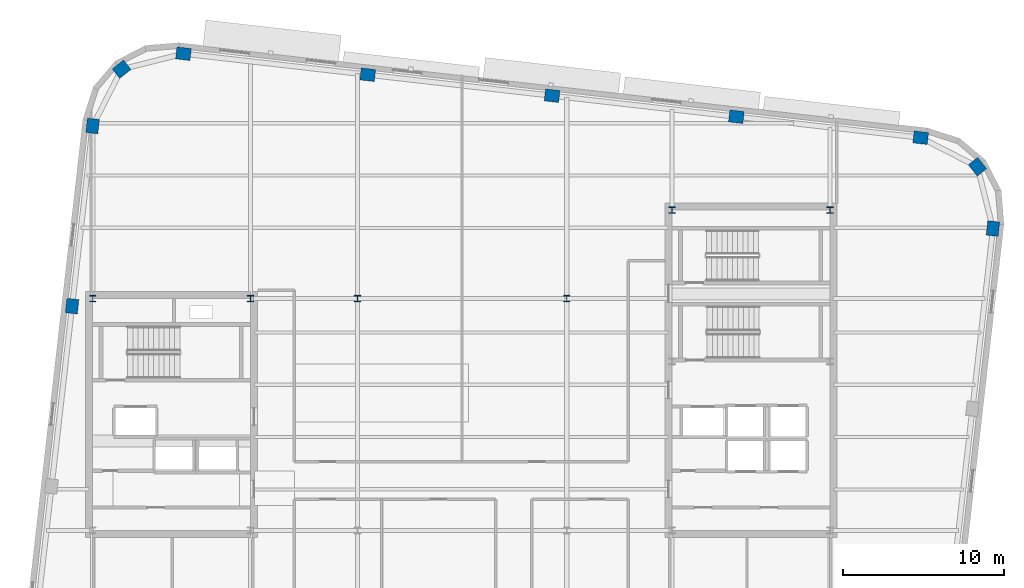
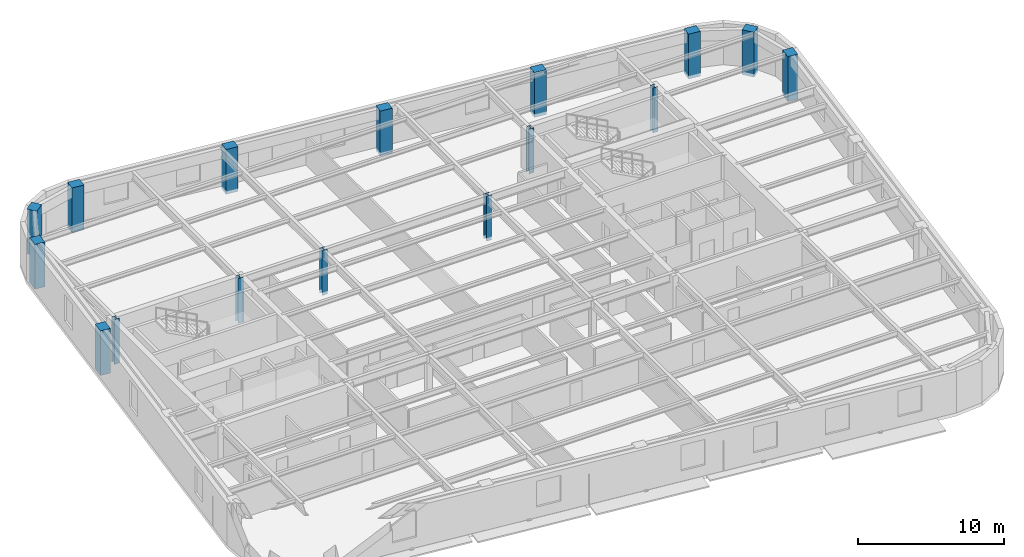
# One storey, part 2 of 13: 16 columns.
"""IFC4 building model written with IfcOpenShell, lengths in metres."""

import ifcopenshell
import ifcopenshell.guid

model = None  # the IFC model being written
_history = None  # IfcOwnerHistory: only IFC2X3 demands one
_inside = {}  # id of a spatial element -> (the spatial element, [elements in it])
_under = {}  # id of a project, library or spatial element -> (it, [spatial elements below it])
_declared = {}  # id of a project -> (the project, [libraries it declares])
_typed = {}  # id of a type object -> (the type object, [elements of that type])
_made_of = {}  # id of a material, layer set ... -> (it, [elements and type objects made of it])


def new_model(schema):
    """Start an empty IFC model of exactly this schema.

    Asked for "IFC4X3", IfcOpenShell would pick the latest addendum, in which some entities
    have other attributes; the version numbers below select the first issue.
    IFC2X3 requires an IfcOwnerHistory on every rooted entity: one is made here for all.
    """
    global model, _history
    if schema == "IFC4X3":
        model = ifcopenshell.file(schema_version=(4, 3, 0, 0))
    else:
        model = ifcopenshell.file(schema=schema)
    _inside.clear()
    _under.clear()
    _declared.clear()
    _typed.clear()
    _made_of.clear()
    _history = None
    if model.schema == "IFC2X3":
        org = make("IfcOrganization", Name="unknown")
        user = make(
            "IfcPersonAndOrganization",
            ThePerson=make("IfcPerson", FamilyName="unknown"),
            TheOrganization=org,
        )
        app = make(
            "IfcApplication",
            ApplicationDeveloper=org,
            Version="unknown",
            ApplicationFullName="unknown",
            ApplicationIdentifier="unknown",
        )
        _history = make(
            "IfcOwnerHistory",
            OwningUser=user,
            OwningApplication=app,
            ChangeAction="ADDED",
            CreationDate=0,
        )
    return model


def make(cls, **values):
    """One entity of the class cls with the attributes given. An attribute that is None is left unset."""
    return model.create_entity(
        cls, **{name: value for name, value in values.items() if value is not None}
    )


def rooted(cls, **values):
    """An entity with a GlobalId (a new one), such as an element, a storey or a relation."""
    return make(cls, GlobalId=ifcopenshell.guid.new(), OwnerHistory=_history, **values)


def si_unit(unit_type, name, prefix=None):
    """IfcSIUnit, for example si_unit("LENGTHUNIT", "METRE", prefix="MILLI")."""
    return make("IfcSIUnit", UnitType=unit_type, Prefix=prefix, Name=name)


def assignment(units):
    """IfcUnitAssignment: the units of a project."""
    return None if units is None else make("IfcUnitAssignment", Units=units)


def point(xyz):
    """IfcCartesianPoint."""
    return None if xyz is None else make("IfcCartesianPoint", Coordinates=xyz)


def direction(xyz):
    """IfcDirection."""
    return None if xyz is None else make("IfcDirection", DirectionRatios=xyz)


def frame(location, z_axis=None, x_axis=None):
    """IfcAxis2Placement3D, a coordinate frame: its origin and axes. An axis left out is left unset."""
    return make(
        "IfcAxis2Placement3D",
        Location=point(location),
        Axis=direction(z_axis),
        RefDirection=direction(x_axis),
    )


def frame_2d(location, x_axis=None):
    """IfcAxis2Placement2D, a coordinate frame in the plane: its origin and x axis."""
    return make(
        "IfcAxis2Placement2D", Location=point(location), RefDirection=direction(x_axis)
    )


def origin():
    """The frame at (0, 0, 0) with its axes left unset."""
    return frame((0.0, 0.0, 0.0))


def origin_2d():
    """The frame at (0, 0) in the plane with its x axis left unset."""
    return frame_2d((0.0, 0.0))


def place(relative_to, where):
    """IfcLocalPlacement: puts the frame where relative to a parent placement (None: the world)."""
    return make(
        "IfcLocalPlacement", PlacementRelTo=relative_to, RelativePlacement=where
    )


def context(
    kind, dimensions, precision=None, world=None, true_north=None, identifier=None
):
    """IfcGeometricRepresentationContext, for example the 3D "Model" context."""
    return make(
        "IfcGeometricRepresentationContext",
        ContextIdentifier=identifier,
        ContextType=kind,
        CoordinateSpaceDimension=dimensions,
        Precision=precision,
        WorldCoordinateSystem=world,
        TrueNorth=true_north,
    )


def subcontext(parent, identifier, kind, view, scale=None):
    """IfcGeometricRepresentationSubContext, for example "Body" below "Model"."""
    return make(
        "IfcGeometricRepresentationSubContext",
        ContextIdentifier=identifier,
        ContextType=kind,
        ParentContext=parent,
        TargetScale=scale,
        TargetView=view,
    )


def project(units=None, contexts=None):
    """IfcProject with its units and contexts."""
    return rooted(
        "IfcProject",
        Name="project",
        RepresentationContexts=contexts,
        UnitsInContext=assignment(units),
    )


def spatial(cls, under=None, at=None, **own):
    """A site, building, storey or space (cls), placed at a placement, below another one or the project."""
    s = rooted(cls, ObjectPlacement=at, **own)
    if under is not None:
        _under.setdefault(under.id(), (under, []))[1].append(s)
    return s


def profile(cls, at=None, kind="AREA", **sizes):
    """A parametric profile (cls). Its sizes go by their IFC names, for example OverallWidth=200.0."""
    return make(cls, ProfileType=kind, Position=at, **sizes)


def rectangle(**sizes):
    """IfcRectangleProfileDef."""
    return profile("IfcRectangleProfileDef", **sizes)


def i_section(**sizes):
    """IfcIShapeProfileDef."""
    return profile("IfcIShapeProfileDef", **sizes)


def extrude(swept, where, along, depth):
    """IfcExtrudedAreaSolid: the profile swept, set in the frame where, extruded along a direction by depth."""
    return make(
        "IfcExtrudedAreaSolid",
        SweptArea=swept,
        Position=where,
        ExtrudedDirection=direction(along),
        Depth=depth,
    )


def shape(context_of_items, identifier, shape_type, items):
    """IfcShapeRepresentation: the items that make up one representation, for example the "Body"."""
    return make(
        "IfcShapeRepresentation",
        ContextOfItems=context_of_items,
        RepresentationIdentifier=identifier,
        RepresentationType=shape_type,
        Items=items,
    )


def material(Name=None, Category=None):
    """IfcMaterial."""
    return make("IfcMaterial", Name=Name, Category=Category)


def material_profile(
    of_material, cross_section, Name=None, Category=None, Priority=None
):
    """IfcMaterialProfile: a cross section and its material."""
    return make(
        "IfcMaterialProfile",
        Name=Name,
        Material=of_material,
        Profile=cross_section,
        Priority=Priority,
        Category=Category,
    )


def profile_set(profiles, Name=None, composite=None):
    """IfcMaterialProfileSet."""
    return make(
        "IfcMaterialProfileSet",
        Name=Name,
        MaterialProfiles=profiles,
        CompositeProfile=composite,
    )


def made_of(thing, what):
    """Note that an element or type object is made of a material, layer set ...; save() writes the relation."""
    if what is not None:
        _made_of.setdefault(what.id(), (what, []))[1].append(thing)
    return thing


def type_object(cls, material=None, **own):
    """A type object (cls), such as IfcWallType, which elements share."""
    return made_of(rooted(cls, **own), material)


def element(
    cls,
    number,
    at=None,
    inside=None,
    cuts=None,
    type_object=None,
    material=None,
    context=None,
    identifier="Body",
    shape_type=None,
    held_by="IfcProductDefinitionShape",
    body=None,
    shapes=None,
    **own,
):
    """One element of the class cls, such as IfcWall. Its Tag is "e" and its number.

    at: its placement. inside: the storey or other place that contains it. cuts: it is an
    opening in that element (IfcRelVoidsElement). A single representation is given by context,
    identifier, shape_type and body (its items); several are given by shapes. held_by: the class
    of the entity that holds the representations. save() writes the other relations.
    """
    e = rooted(cls, Tag="e%d" % number, ObjectPlacement=at, **own)
    if body is not None:
        shapes = [shape(context, identifier, shape_type, body)]
    if shapes is not None:
        e.Representation = make(held_by, Representations=shapes)
    if inside is not None:
        _inside.setdefault(inside.id(), (inside, []))[1].append(e)
    if cuts is not None:
        rooted(
            "IfcRelVoidsElement", RelatingBuildingElement=cuts, RelatedOpeningElement=e
        )
    if type_object is not None:
        _typed.setdefault(type_object.id(), (type_object, []))[1].append(e)
    return made_of(e, material)


def aggregate(whole, parts):
    """IfcRelAggregates: a whole, such as a stair, and the parts it consists of."""
    return rooted("IfcRelAggregates", RelatingObject=whole, RelatedObjects=parts)


def save(model, path):
    """Write the relations noted so far, then the file.

    IfcRelAggregates (storeys below a building ...), IfcRelContainedInSpatialStructure (elements
    in a storey), IfcRelDefinesByType, IfcRelAssociatesMaterial and IfcRelDeclares: one each for
    every whole, place, type object, material and project.
    """
    for whole, parts in _under.values():
        aggregate(whole, parts)
    for where, things in _inside.values():
        rooted(
            "IfcRelContainedInSpatialStructure",
            RelatedElements=things,
            RelatingStructure=where,
        )
    for kind, things in _typed.values():
        rooted("IfcRelDefinesByType", RelatedObjects=things, RelatingType=kind)
    for what, things in _made_of.values():
        rooted("IfcRelAssociatesMaterial", RelatedObjects=things, RelatingMaterial=what)
    for by, libraries in _declared.values():
        rooted("IfcRelDeclares", RelatingContext=by, RelatedDefinitions=libraries)
    model.write(path)


model = new_model("IFC4")

# Units and contexts
model_context = context("Model", 3, precision=1e-05, world=origin(), true_north=direction((0.0, 1.0)))
body_context = subcontext(model_context, "Body", "Model", "MODEL_VIEW")
ifc_project = project(units=[si_unit("LENGTHUNIT", "METRE"), si_unit("AREAUNIT", "SQUARE_METRE"), si_unit("VOLUMEUNIT", "CUBIC_METRE"), si_unit("PLANEANGLEUNIT", "RADIAN"), si_unit("MASSUNIT", "GRAM", prefix="KILO")], contexts=[model_context])

# Site, building, storey
site_placement = place(None, origin())
site = spatial("IfcSite", under=ifc_project, at=site_placement, CompositionType="ELEMENT")
building_placement = place(site_placement, origin())
building = spatial("IfcBuilding", under=site, at=building_placement, Name="Kolvaren Arena Tower", CompositionType="ELEMENT")
storey_placement = place(building_placement, frame((0.0, 0.0, 262.199951171875)))
storey = spatial("IfcBuildingStorey", under=building, at=storey_placement, Name="L64", CompositionType="ELEMENT", Elevation=262.199951171875)

# Columns
ifc_material_1 = material(Name="Precast concrete C55/67", Category="concrete")
ifc_material_profile_1 = material_profile(ifc_material_1, rectangle(XDim=0.89990234375, YDim=0.75, at=origin_2d()), Name="RC-900x750")
ifc_profile_set_1 = profile_set([ifc_material_profile_1], Name="Precast concrete C55/67")
column_type_1 = type_object("IfcColumnType", Name="EXCOL-Z4", PredefinedType="COLUMN", material=ifc_profile_set_1)
for number, where, z_axis, x_axis, name in (
    (1, (70.482177734375, 38.20458984375, -0.27001953125), (0.0, 0.0, 1.0), (0.113203213768, 0.993571855677, 0.0), "Exoskeleton Perimeter Column 10 (L64)"),
    (2, (69.519775390625, 42.047119140625, -0.27001953125), (0.0, 0.0, 1.0), (-0.622514636638, 0.782608156852, 0.0), "Exoskeleton Perimeter Column 11 (L64)"),
    (3, (65.9921875, 43.84912109375, -0.27001953125), (0.0, 0.0, 1.0), (0.993571855677, -0.113203213768, 0.0), "Exoskeleton Perimeter Column 12 (L64)"),
    (4, (54.54150390625, 45.15380859375, -0.27001953125), (0.0, 0.0, 1.0), (0.993571855677, -0.113203213768, 0.0), "Exoskeleton Perimeter Column 13 (L64)"),
    (5, (43.090576171875, 46.45849609375, -0.27001953125), (0.0, 0.0, 1.0), (0.993571855677, -0.113203213768, 0.0), "Exoskeleton Perimeter Column 14 (L64)"),
    (6, (31.6396484375, 47.76318359375, -0.27001953125), (0.0, 0.0, 1.0), (0.993571855677, -0.113203213768, 0.0), "Exoskeleton Perimeter Column 15 (L64)"),
    (7, (20.188720703125, 49.06787109375, -0.27001953125), (0.0, 0.0, 1.0), (0.993571855677, -0.113203213768, 0.0), "Exoskeleton Perimeter Column 16 (L64)"),
    (8, (16.34619140625, 48.10546875, -0.27001953125), (0.0, 0.0, 1.0), (0.782608156852, 0.622514636638, 0.0), "Exoskeleton Perimeter Column 17 (L64)"),
    (9, (14.544189453125, 44.577880859375, -0.27001953125), (0.0, 0.0, 1.0), (0.113203213768, 0.993571855677, 0.0), "Exoskeleton Perimeter Column 18 (L64)"),
    (10, (13.268798828125, 33.3837890625, -0.27001953125), (0.0, 0.0, 1.0), (0.113203213768, 0.993571855677, 0.0), "Exoskeleton Perimeter Column 19 (L64)"),
):
    element("IfcColumn", number, at=place(storey_placement, frame(where, z_axis=z_axis, x_axis=x_axis)), inside=storey, type_object=column_type_1, Name=name, PredefinedType="COLUMN", context=body_context, shape_type="SweptSolid", body=[
        extrude(rectangle(XDim=0.89990234375, YDim=0.75, at=origin_2d()), origin(), (0.0, 0.0, 1.0), 3.75),
    ])
ifc_material_2 = material(Name="Steel ASTM A913 Grade 65", Category="steel")
ifc_material_profile_2 = material_profile(ifc_material_2, i_section(OverallWidth=0.39892578125, OverallDepth=0.39306640625, WebThickness=0.022705078125, FlangeThickness=0.03662109375, FilletRadius=0.02001953125, at=origin_2d()), Name="W360x287")
ifc_profile_set_2 = profile_set([ifc_material_profile_2], Name="Steel ASTM A913 Grade 65")
column_type_2 = type_object("IfcColumnType", Name="SCOL-Z4", PredefinedType="COLUMN", material=ifc_profile_set_2)
for number, where, z_axis, x_axis, name in (
    (11, (14.550048828125, 33.85009765625, -0.27001953125), (0.0, 0.0, 1.0), (1.0, 0.0, 0.0), "Core Boundary Column WC-NW (L64)"),
    (12, (24.35009765625, 33.85009765625, -0.27001953125), (0.0, 0.0, 1.0), (1.0, 0.0, 0.0), "Core Boundary Column WC-NE (L64)"),
    (13, (50.550048828125, 39.35009765625, -0.27001953125), (0.0, 0.0, 1.0), (1.0, 0.0, 0.0), "Core Boundary Column EC-NW (L64)"),
    (14, (60.35009765625, 39.35009765625, -0.27001953125), (0.0, 0.0, 1.0), (1.0, 0.0, 0.0), "Core Boundary Column EC-NE (L64)"),
    (15, (31.0, 33.85009765625, -0.27001953125), (0.0, 0.0, 1.0), (1.0, 0.0, 0.0), "Interior Gravity Column TC-NW (L64)"),
    (16, (44.0, 33.85009765625, -0.27001953125), (0.0, 0.0, 1.0), (1.0, 0.0, 0.0), "Interior Gravity Column TC-NE (L64)"),
):
    element("IfcColumn", number, at=place(storey_placement, frame(where, z_axis=z_axis, x_axis=x_axis)), inside=storey, type_object=column_type_2, Name=name, PredefinedType="COLUMN", context=body_context, shape_type="SweptSolid", body=[
        extrude(i_section(OverallWidth=0.39892578125, OverallDepth=0.39306640625, WebThickness=0.022705078125, FlangeThickness=0.03662109375, FilletRadius=0.02001953125, at=origin_2d()), origin(), (0.0, 0.0, 1.0), 3.75),
    ])

save(model, "model.ifc")
